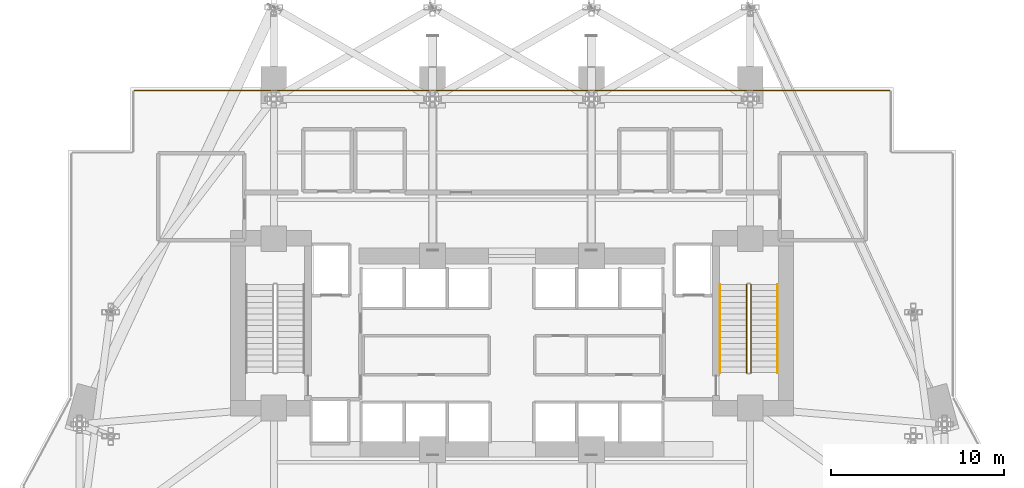
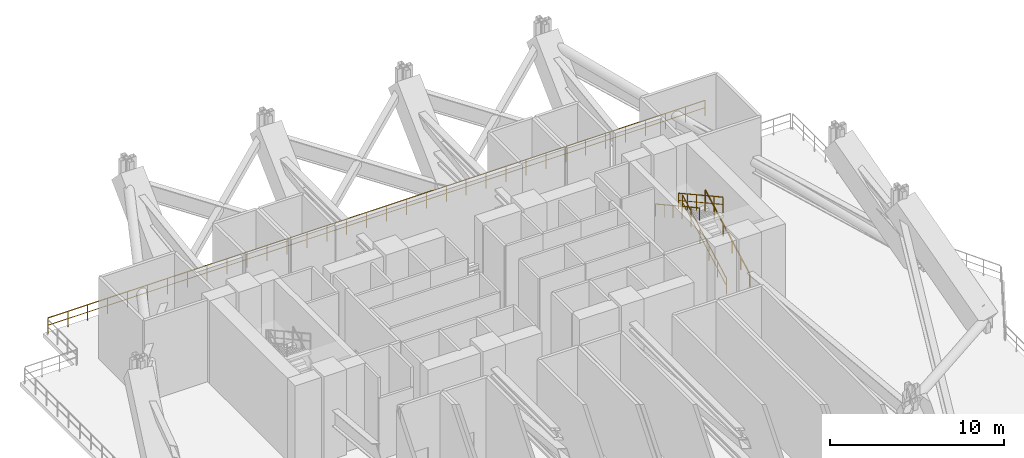
# One storey, part 20 of 21: 5 railings.
"""IFC4 building model written with IfcOpenShell, lengths in metres."""

from ifc_helpers import new_model, si_unit, direction, frame, origin, origin_2d, place, context, subcontext, project, spatial, rectangle, extrude, material, type_object, element, save


model = new_model("IFC4")

# Units and contexts
model_context = context("Model", 3, precision=1e-05, world=origin(), true_north=direction((0.0, 1.0)))
body_context = subcontext(model_context, "Body", "Model", "MODEL_VIEW")
ifc_project = project(units=[si_unit("LENGTHUNIT", "METRE"), si_unit("AREAUNIT", "SQUARE_METRE"), si_unit("VOLUMEUNIT", "CUBIC_METRE"), si_unit("PLANEANGLEUNIT", "RADIAN"), si_unit("MASSUNIT", "GRAM", prefix="KILO")], contexts=[model_context])

# Site, building, storey
site_placement = place(None, origin())
site = spatial("IfcSite", under=ifc_project, at=site_placement, CompositionType="ELEMENT")
building_placement = place(site_placement, origin())
building = spatial("IfcBuilding", under=site, at=building_placement, Name="Zuhayl Quay Hotel", CompositionType="ELEMENT")
storey_placement = place(building_placement, frame((0.0, 0.0, 89.64990234375)))
storey = spatial("IfcBuildingStorey", under=building, at=storey_placement, Name="L22", CompositionType="ELEMENT", Elevation=89.64990234375)

# Railings
ifc_material_1 = material(Name="Anodised Aluminium and Laminated Glass", Category="aluminium")
railing_type_1 = type_object("IfcRailingType", Name="RL_EXT_BAL_1100", PredefinedType="BALUSTRADE", material=ifc_material_1)
railing_1_placement = place(storey_placement, frame((-21.860107421875, 22.93994140625, 0.0)))
element("IfcRailing", 1, at=railing_1_placement, inside=storey, type_object=railing_type_1, Name="L22 Balcony and Terrace Guard GR_WIND_L22_09", PredefinedType="BALUSTRADE", context=body_context, shape_type="SweptSolid", body=[
    extrude(rectangle(XDim=0.048095703125, YDim=0.048095703125, at=origin_2d()), frame((0.0, 0.0, 1.09619140625), z_axis=(1.0, 0.0, 0.0), x_axis=(0.0, 1.0, 0.0)), (0.0, 0.0, 1.0), 43.72021484375),
    extrude(rectangle(XDim=0.0361328125, YDim=0.0361328125, at=origin_2d()), frame((0.0, 0.0, 0.58251953125), z_axis=(1.0, 0.0, 0.0), x_axis=(0.0, 1.0, 0.0)), (0.0, 0.0, 1.0), 43.72021484375),
    extrude(rectangle(XDim=0.0419921875, YDim=0.0419921875, at=origin_2d()), origin(), (0.0, 0.0, 1.0), 1.072021484375),
    extrude(rectangle(XDim=0.0419921875, YDim=0.0419921875, at=origin_2d()), frame((1.324951171875, 0.0, 0.0)), (0.0, 0.0, 1.0), 1.072021484375),
    extrude(rectangle(XDim=0.0419921875, YDim=0.0419921875, at=origin_2d()), frame((2.649658203125, 0.0, 0.0)), (0.0, 0.0, 1.0), 1.072021484375),
    extrude(rectangle(XDim=0.0419921875, YDim=0.0419921875, at=origin_2d()), frame((3.974609375, 0.0, 0.0)), (0.0, 0.0, 1.0), 1.072021484375),
    extrude(rectangle(XDim=0.0419921875, YDim=0.0419921875, at=origin_2d()), frame((5.29931640625, 0.0, 0.0)), (0.0, 0.0, 1.0), 1.072021484375),
    extrude(rectangle(XDim=0.0419921875, YDim=0.0419921875, at=origin_2d()), frame((6.624267578125, 0.0, 0.0)), (0.0, 0.0, 1.0), 1.072021484375),
    extrude(rectangle(XDim=0.0419921875, YDim=0.0419921875, at=origin_2d()), frame((7.94921875, 0.0, 0.0)), (0.0, 0.0, 1.0), 1.072021484375),
    extrude(rectangle(XDim=0.0419921875, YDim=0.0419921875, at=origin_2d()), frame((9.27392578125, 0.0, 0.0)), (0.0, 0.0, 1.0), 1.072021484375),
    extrude(rectangle(XDim=0.0419921875, YDim=0.0419921875, at=origin_2d()), frame((10.598876953125, 0.0, 0.0)), (0.0, 0.0, 1.0), 1.072021484375),
    extrude(rectangle(XDim=0.0419921875, YDim=0.0419921875, at=origin_2d()), frame((11.923583984375, 0.0, 0.0)), (0.0, 0.0, 1.0), 1.072021484375),
    extrude(rectangle(XDim=0.0419921875, YDim=0.0419921875, at=origin_2d()), frame((13.24853515625, 0.0, 0.0)), (0.0, 0.0, 1.0), 1.072021484375),
    extrude(rectangle(XDim=0.0419921875, YDim=0.0419921875, at=origin_2d()), frame((14.573486328125, 0.0, 0.0)), (0.0, 0.0, 1.0), 1.072021484375),
    extrude(rectangle(XDim=0.0419921875, YDim=0.0419921875, at=origin_2d()), frame((15.898193359375, 0.0, 0.0)), (0.0, 0.0, 1.0), 1.072021484375),
    extrude(rectangle(XDim=0.0419921875, YDim=0.0419921875, at=origin_2d()), frame((17.22314453125, 0.0, 0.0)), (0.0, 0.0, 1.0), 1.072021484375),
    extrude(rectangle(XDim=0.0419921875, YDim=0.0419921875, at=origin_2d()), frame((18.5478515625, 0.0, 0.0)), (0.0, 0.0, 1.0), 1.072021484375),
    extrude(rectangle(XDim=0.0419921875, YDim=0.0419921875, at=origin_2d()), frame((19.872802734375, 0.0, 0.0)), (0.0, 0.0, 1.0), 1.072021484375),
    extrude(rectangle(XDim=0.0419921875, YDim=0.0419921875, at=origin_2d()), frame((21.19775390625, 0.0, 0.0)), (0.0, 0.0, 1.0), 1.072021484375),
    extrude(rectangle(XDim=0.0419921875, YDim=0.0419921875, at=origin_2d()), frame((22.5224609375, 0.0, 0.0)), (0.0, 0.0, 1.0), 1.072021484375),
    extrude(rectangle(XDim=0.0419921875, YDim=0.0419921875, at=origin_2d()), frame((23.847412109375, 0.0, 0.0)), (0.0, 0.0, 1.0), 1.072021484375),
    extrude(rectangle(XDim=0.0419921875, YDim=0.0419921875, at=origin_2d()), frame((25.17236328125, 0.0, 0.0)), (0.0, 0.0, 1.0), 1.072021484375),
    extrude(rectangle(XDim=0.0419921875, YDim=0.0419921875, at=origin_2d()), frame((26.4970703125, 0.0, 0.0)), (0.0, 0.0, 1.0), 1.072021484375),
    extrude(rectangle(XDim=0.0419921875, YDim=0.0419921875, at=origin_2d()), frame((27.822021484375, 0.0, 0.0)), (0.0, 0.0, 1.0), 1.072021484375),
    extrude(rectangle(XDim=0.0419921875, YDim=0.0419921875, at=origin_2d()), frame((29.146728515625, 0.0, 0.0)), (0.0, 0.0, 1.0), 1.072021484375),
    extrude(rectangle(XDim=0.0419921875, YDim=0.0419921875, at=origin_2d()), frame((30.4716796875, 0.0, 0.0)), (0.0, 0.0, 1.0), 1.072021484375),
    extrude(rectangle(XDim=0.0419921875, YDim=0.0419921875, at=origin_2d()), frame((31.796630859375, 0.0, 0.0)), (0.0, 0.0, 1.0), 1.072021484375),
    extrude(rectangle(XDim=0.0419921875, YDim=0.0419921875, at=origin_2d()), frame((33.121337890625, 0.0, 0.0)), (0.0, 0.0, 1.0), 1.072021484375),
    extrude(rectangle(XDim=0.0419921875, YDim=0.0419921875, at=origin_2d()), frame((34.4462890625, 0.0, 0.0)), (0.0, 0.0, 1.0), 1.072021484375),
    extrude(rectangle(XDim=0.0419921875, YDim=0.0419921875, at=origin_2d()), frame((35.77099609375, 0.0, 0.0)), (0.0, 0.0, 1.0), 1.072021484375),
    extrude(rectangle(XDim=0.0419921875, YDim=0.0419921875, at=origin_2d()), frame((37.095947265625, 0.0, 0.0)), (0.0, 0.0, 1.0), 1.072021484375),
    extrude(rectangle(XDim=0.0419921875, YDim=0.0419921875, at=origin_2d()), frame((38.4208984375, 0.0, 0.0)), (0.0, 0.0, 1.0), 1.072021484375),
    extrude(rectangle(XDim=0.0419921875, YDim=0.0419921875, at=origin_2d()), frame((39.74560546875, 0.0, 0.0)), (0.0, 0.0, 1.0), 1.072021484375),
    extrude(rectangle(XDim=0.0419921875, YDim=0.0419921875, at=origin_2d()), frame((41.070556640625, 0.0, 0.0)), (0.0, 0.0, 1.0), 1.072021484375),
    extrude(rectangle(XDim=0.0419921875, YDim=0.0419921875, at=origin_2d()), frame((42.395263671875, 0.0, 0.0)), (0.0, 0.0, 1.0), 1.072021484375),
    extrude(rectangle(XDim=0.0419921875, YDim=0.0419921875, at=origin_2d()), frame((43.72021484375, 0.0, 0.0)), (0.0, 0.0, 1.0), 1.072021484375),
])
ifc_material_2 = material(Name="Steel ASTM A992 Grade 50", Category="steel")
railing_type_2 = type_object("IfcRailingType", Name="RL_GUARD_1100", PredefinedType="GUARDRAIL", material=ifc_material_2)
railing_2_placement = place(storey_placement, frame((13.840087890625, 6.590087890625, 0.1875)))
element("IfcRailing", 2, at=railing_2_placement, inside=storey, type_object=railing_type_2, Name="L22 ST2 stair guard 1", PredefinedType="GUARDRAIL", context=body_context, shape_type="SweptSolid", body=[
    extrude(rectangle(XDim=0.048095703125, YDim=0.048095703125, at=origin_2d()), frame((0.0, 0.0, 1.09619140625), z_axis=(0.0, 0.875665712831, 0.482917756322), x_axis=(-1.0, 0.0, 0.0)), (0.0, 0.0, 1.0), 5.823974609375),
    extrude(rectangle(XDim=0.0361328125, YDim=0.0361328125, at=origin_2d()), frame((0.0, 0.0, 0.58251953125), z_axis=(0.0, 0.875665712831, 0.482917756322), x_axis=(-1.0, 0.0, 0.0)), (0.0, 0.0, 1.0), 5.823974609375),
    extrude(rectangle(XDim=0.0419921875, YDim=0.0419921875, at=origin_2d()), origin(), (0.0, 0.0, 1.0), 1.072021484375),
    extrude(rectangle(XDim=0.0419921875, YDim=0.0419921875, at=origin_2d()), frame((0.0, 1.02001953125, 0.5625)), (0.0, 0.0, 1.0), 1.072021484375),
    extrude(rectangle(XDim=0.0419921875, YDim=0.0419921875, at=origin_2d()), frame((0.0, 2.0400390625, 1.125)), (0.0, 0.0, 1.0), 1.072021484375),
    extrude(rectangle(XDim=0.0419921875, YDim=0.0419921875, at=origin_2d()), frame((0.0, 3.059814453125, 1.6875)), (0.0, 0.0, 1.0), 1.072021484375),
    extrude(rectangle(XDim=0.0419921875, YDim=0.0419921875, at=origin_2d()), frame((0.0, 4.079833984375, 2.25)), (0.0, 0.0, 1.0), 1.072021484375),
    extrude(rectangle(XDim=0.0419921875, YDim=0.0419921875, at=origin_2d()), frame((0.0, 5.099853515625, 2.8125)), (0.0, 0.0, 1.0), 1.072021484375),
])
railing_3_placement = place(storey_placement, frame((13.590087890625, 11.68994140625, 3.1875)))
element("IfcRailing", 3, at=railing_3_placement, inside=storey, type_object=railing_type_2, Name="L22 ST2 stair guard 3", PredefinedType="GUARDRAIL", context=body_context, shape_type="SweptSolid", body=[
    extrude(rectangle(XDim=0.048095703125, YDim=0.048095703125, at=origin_2d()), frame((0.0, 0.0, 1.09619140625), z_axis=(0.0, -0.875665712831, 0.482917756322), x_axis=(1.0, 0.0, 0.0)), (0.0, 0.0, 1.0), 5.823974609375),
    extrude(rectangle(XDim=0.0361328125, YDim=0.0361328125, at=origin_2d()), frame((0.0, 0.0, 0.58251953125), z_axis=(0.0, -0.875665712831, 0.482917756322), x_axis=(1.0, 0.0, 0.0)), (0.0, 0.0, 1.0), 5.823974609375),
    extrude(rectangle(XDim=0.0419921875, YDim=0.0419921875, at=origin_2d()), origin(), (0.0, 0.0, 1.0), 1.072021484375),
    extrude(rectangle(XDim=0.0419921875, YDim=0.0419921875, at=origin_2d()), frame((0.0, -1.02001953125, 0.5625)), (0.0, 0.0, 1.0), 1.072021484375),
    extrude(rectangle(XDim=0.0419921875, YDim=0.0419921875, at=origin_2d()), frame((0.0, -2.0400390625, 1.125)), (0.0, 0.0, 1.0), 1.072021484375),
    extrude(rectangle(XDim=0.0419921875, YDim=0.0419921875, at=origin_2d()), frame((0.0, -3.059814453125, 1.6875)), (0.0, 0.0, 1.0), 1.072021484375),
    extrude(rectangle(XDim=0.0419921875, YDim=0.0419921875, at=origin_2d()), frame((0.0, -4.079833984375, 2.25)), (0.0, 0.0, 1.0), 1.072021484375),
    extrude(rectangle(XDim=0.0419921875, YDim=0.0419921875, at=origin_2d()), frame((0.0, -5.099853515625, 2.8125)), (0.0, 0.0, 1.0), 1.072021484375),
])
railing_type_3 = type_object("IfcRailingType", Name="RL_HANDRAIL_920", PredefinedType="HANDRAIL", material=ifc_material_2)
railing_4_placement = place(storey_placement, frame((15.3798828125, 6.590087890625, 0.1875)))
element("IfcRailing", 4, at=railing_4_placement, inside=storey, type_object=railing_type_3, Name="L22 ST2 stair handrail 1", PredefinedType="HANDRAIL", context=body_context, shape_type="SweptSolid", body=[
    extrude(rectangle(XDim=0.048095703125, YDim=0.048095703125, at=origin_2d()), frame((0.0, 0.0, 0.8759765625), z_axis=(0.0, 0.875665712831, 0.482917756322), x_axis=(-1.0, 0.0, 0.0)), (0.0, 0.0, 1.0), 5.823974609375),
    extrude(rectangle(XDim=0.0419921875, YDim=0.0419921875, at=origin_2d()), origin(), (0.0, 0.0, 1.0), 0.851806640625),
    extrude(rectangle(XDim=0.0419921875, YDim=0.0419921875, at=origin_2d()), frame((0.0, 1.02001953125, 0.5625)), (0.0, 0.0, 1.0), 0.851806640625),
    extrude(rectangle(XDim=0.0419921875, YDim=0.0419921875, at=origin_2d()), frame((0.0, 2.0400390625, 1.125)), (0.0, 0.0, 1.0), 0.851806640625),
    extrude(rectangle(XDim=0.0419921875, YDim=0.0419921875, at=origin_2d()), frame((0.0, 3.059814453125, 1.6875)), (0.0, 0.0, 1.0), 0.851806640625),
    extrude(rectangle(XDim=0.0419921875, YDim=0.0419921875, at=origin_2d()), frame((0.0, 4.079833984375, 2.25)), (0.0, 0.0, 1.0), 0.851806640625),
    extrude(rectangle(XDim=0.0419921875, YDim=0.0419921875, at=origin_2d()), frame((0.0, 5.099853515625, 2.8125)), (0.0, 0.0, 1.0), 0.851806640625),
])
railing_5_placement = place(storey_placement, frame((12.050048828125, 11.68994140625, 3.1875)))
element("IfcRailing", 5, at=railing_5_placement, inside=storey, type_object=railing_type_3, Name="L22 ST2 stair handrail 2", PredefinedType="HANDRAIL", context=body_context, shape_type="SweptSolid", body=[
    extrude(rectangle(XDim=0.048095703125, YDim=0.048095703125, at=origin_2d()), frame((0.0, 0.0, 0.8759765625), z_axis=(0.0, -0.875665712831, 0.482917756322), x_axis=(1.0, 0.0, 0.0)), (0.0, 0.0, 1.0), 5.823974609375),
    extrude(rectangle(XDim=0.0419921875, YDim=0.0419921875, at=origin_2d()), origin(), (0.0, 0.0, 1.0), 0.851806640625),
    extrude(rectangle(XDim=0.0419921875, YDim=0.0419921875, at=origin_2d()), frame((0.0, -1.02001953125, 0.5625)), (0.0, 0.0, 1.0), 0.851806640625),
    extrude(rectangle(XDim=0.0419921875, YDim=0.0419921875, at=origin_2d()), frame((0.0, -2.0400390625, 1.125)), (0.0, 0.0, 1.0), 0.851806640625),
    extrude(rectangle(XDim=0.0419921875, YDim=0.0419921875, at=origin_2d()), frame((0.0, -3.059814453125, 1.6875)), (0.0, 0.0, 1.0), 0.851806640625),
    extrude(rectangle(XDim=0.0419921875, YDim=0.0419921875, at=origin_2d()), frame((0.0, -4.079833984375, 2.25)), (0.0, 0.0, 1.0), 0.851806640625),
    extrude(rectangle(XDim=0.0419921875, YDim=0.0419921875, at=origin_2d()), frame((0.0, -5.099853515625, 2.8125)), (0.0, 0.0, 1.0), 0.851806640625),
])

save(model, "model.ifc")
